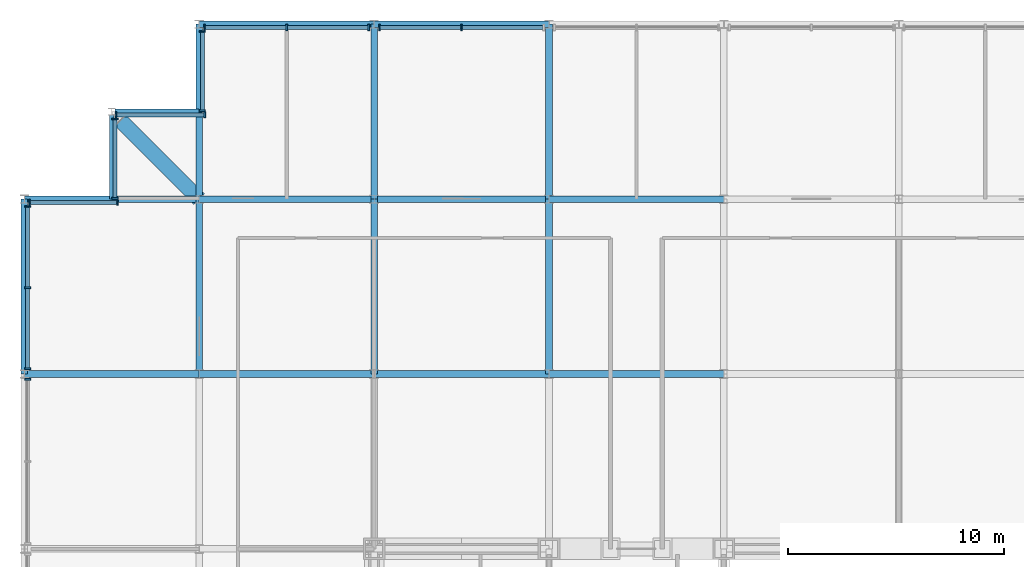
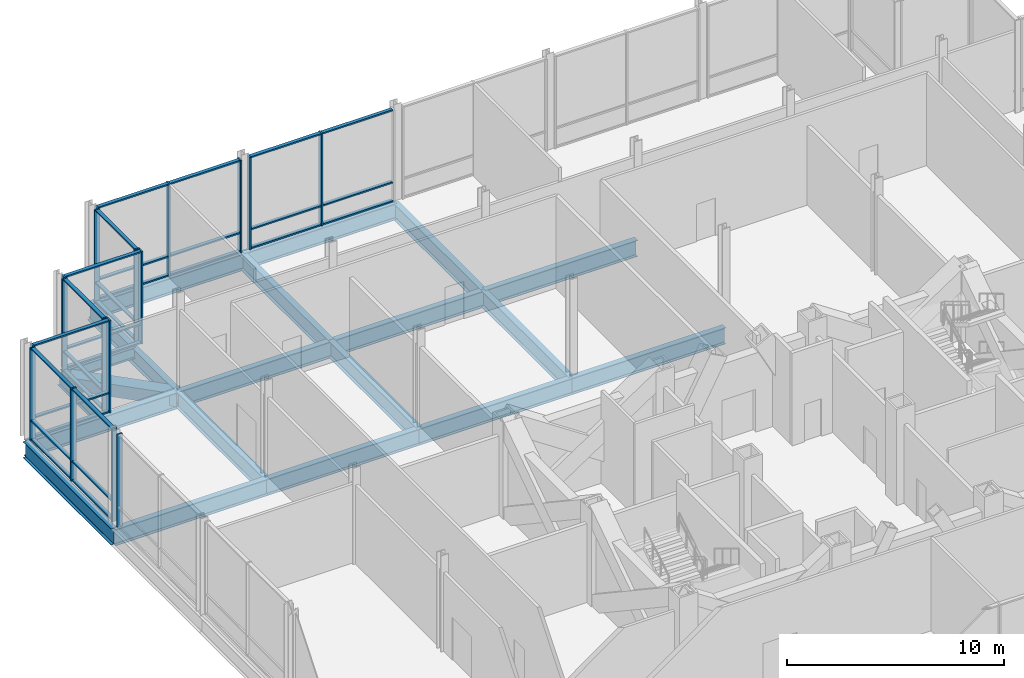
# One storey, part 9 of 21: 47 members, 20 beams, 8 elements without a shape of their own.
"""IFC4 building model written with IfcOpenShell, lengths in metres."""

from ifc_helpers import new_model, si_unit, direction, frame, origin, origin_2d, place, context, subcontext, project, spatial, rectangle, hollow_rectangle, i_section, extrude, material, material_profile, profile_set, type_object, element, aggregate, save


model = new_model("IFC4")

# Units and contexts
model_context = context("Model", 3, precision=1e-05, world=origin(), true_north=direction((0.0, 1.0)))
body_context = subcontext(model_context, "Body", "Model", "MODEL_VIEW")
ifc_project = project(units=[si_unit("LENGTHUNIT", "METRE"), si_unit("AREAUNIT", "SQUARE_METRE"), si_unit("VOLUMEUNIT", "CUBIC_METRE"), si_unit("PLANEANGLEUNIT", "RADIAN"), si_unit("MASSUNIT", "GRAM", prefix="KILO")], contexts=[model_context])

# Site, building, storey
site_placement = place(None, origin())
site = spatial("IfcSite", under=ifc_project, at=site_placement, CompositionType="ELEMENT")
building_placement = place(site_placement, origin())
building = spatial("IfcBuilding", under=site, at=building_placement, Name="Kopane Lantern Tower", CompositionType="ELEMENT")
storey_placement = place(building_placement, frame((0.0, 0.0, 298.5)))
storey = spatial("IfcBuildingStorey", under=building, at=storey_placement, Name="L76", CompositionType="ELEMENT", Elevation=298.5)

# Beams
ifc_material_1 = material(Name="Steel S355JR", Category="steel")
ifc_material_profile_1 = material_profile(ifc_material_1, hollow_rectangle(XDim=0.699951171875, YDim=0.699951171875, WallThickness=0.06005859375, at=origin_2d()), Name="BOX 700x700x60")
ifc_profile_set_1 = profile_set([ifc_material_profile_1], Name="Steel S355JR")
beam_type_1 = type_object("IfcBeamType", Name="CORNER TIE BEAM BOX 700x700x60", PredefinedType="BEAM", material=ifc_profile_set_1)
beam_1_placement = place(storey_placement, frame((4.447509765625, 60.3525390625, -0.56005859375), z_axis=(0.707106781187, -0.707106781187, 0.0), x_axis=(0.707106781187, 0.707106781187, 0.0)))
element("IfcBeam", 1, at=beam_1_placement, inside=storey, type_object=beam_type_1, Name="Corner Tie Beam L76", PredefinedType="BEAM", context=body_context, shape_type="SweptSolid", body=[
    extrude(hollow_rectangle(XDim=0.699951171875, YDim=0.699951171875, WallThickness=0.06005859375, at=origin_2d()), origin(), (0.0, 0.0, 1.0), 5.16552734375),
])
ifc_material_2 = material(Name="Steel S355JR", Category="steel")
ifc_material_profile_2 = material_profile(ifc_material_2, i_section(OverallWidth=0.22900390625, OverallDepth=0.6123046875, WebThickness=0.011962890625, FlangeThickness=0.01953125, FilletRadius=0.0126953125, at=origin_2d()), Name="UB 610x229x125")
ifc_profile_set_2 = profile_set([ifc_material_profile_2], Name="Steel S355JR")
beam_type_2 = type_object("IfcBeamType", Name="EDGE BEAM UB 610x229x125", PredefinedType="BEAM", material=ifc_profile_set_2)
beam_2_placement = place(storey_placement, frame((4.050048828125, 60.59619140625, -0.51611328125), z_axis=(0.0, -1.0, 0.0), x_axis=(1.0, 0.0, 0.0)))
element("IfcBeam", 2, at=beam_2_placement, inside=storey, type_object=beam_type_2, Name="Edge Beam L76", PredefinedType="BEAM", context=body_context, shape_type="SweptSolid", body=[
    extrude(i_section(OverallWidth=0.22900390625, OverallDepth=0.6123046875, WebThickness=0.011962890625, FlangeThickness=0.01953125, FilletRadius=0.0126953125, at=origin_2d()), origin(), (0.0, 0.0, 1.0), 3.896240234375),
])
beam_3_placement = place(storey_placement, frame((4.20361328125, 60.75, -0.51611328125), z_axis=(1.0, 0.0, 0.0), x_axis=(0.0, 1.0, 0.0)))
element("IfcBeam", 3, at=beam_3_placement, inside=storey, type_object=beam_type_2, Name="Edge Beam L76", PredefinedType="BEAM", context=body_context, shape_type="SweptSolid", body=[
    extrude(i_section(OverallWidth=0.22900390625, OverallDepth=0.6123046875, WebThickness=0.011962890625, FlangeThickness=0.01953125, FilletRadius=0.0126953125, at=origin_2d()), origin(), (0.0, 0.0, 1.0), 3.896484375),
])
ifc_material_3 = material(Name="Steel S355JR", Category="steel")
ifc_material_profile_3 = material_profile(ifc_material_3, i_section(OverallWidth=0.305419921875, OverallDepth=0.91845703125, WebThickness=0.017333984375, FlangeThickness=0.02783203125, FilletRadius=0.01904296875, at=origin_2d()), Name="UB 914x305x253")
ifc_profile_set_3 = profile_set([ifc_material_profile_3], Name="Steel S355JR")
beam_type_3 = type_object("IfcBeamType", Name="GIRDER UB 914x305x253", PredefinedType="BEAM", material=ifc_profile_set_3)
beam_4_placement = place(storey_placement, frame((0.0, 48.60009765625, -0.669189453125), z_axis=(0.0, 1.0, 0.0), x_axis=(-1.0, 0.0, 0.0)))
element("IfcBeam", 4, at=beam_4_placement, inside=storey, type_object=beam_type_3, Name="Girder L76", PredefinedType="BEAM", context=body_context, shape_type="SweptSolid", body=[
    extrude(i_section(OverallWidth=0.305419921875, OverallDepth=0.91845703125, WebThickness=0.017333984375, FlangeThickness=0.02783203125, FilletRadius=0.01904296875, at=origin_2d()), origin(), (0.0, 0.0, 1.0), 8.099853515625),
])
for number, where, z_axis, x_axis, name in (
    (5, (0.0, 48.60009765625, -0.669189453125), (1.0, 0.0, 0.0), (0.0, 1.0, 0.0), "Girder L76"),
    (6, (0.0, 56.699951171875, -0.669189453125), (1.0, 0.0, 0.0), (0.0, 1.0, 0.0), "Girder L76"),
):
    element("IfcBeam", number, at=place(storey_placement, frame(where, z_axis=z_axis, x_axis=x_axis)), inside=storey, type_object=beam_type_3, Name=name, PredefinedType="BEAM", context=body_context, shape_type="SweptSolid", body=[
        extrude(i_section(OverallWidth=0.305419921875, OverallDepth=0.91845703125, WebThickness=0.017333984375, FlangeThickness=0.02783203125, FilletRadius=0.01904296875, at=origin_2d()), origin(), (0.0, 0.0, 1.0), 8.10009765625),
    ])
for number, where, z_axis, x_axis, name in (
    (7, (8.10009765625, 48.60009765625, -0.669189453125), (0.0, 1.0, 0.0), (-1.0, 0.0, 0.0), "Girder L76"),
    (8, (8.10009765625, 48.60009765625, -0.669189453125), (1.0, 0.0, 0.0), (0.0, 1.0, 0.0), "Girder L76"),
):
    element("IfcBeam", number, at=place(storey_placement, frame(where, z_axis=z_axis, x_axis=x_axis)), inside=storey, type_object=beam_type_3, Name=name, PredefinedType="BEAM", context=body_context, shape_type="SweptSolid", body=[
        extrude(i_section(OverallWidth=0.305419921875, OverallDepth=0.91845703125, WebThickness=0.017333984375, FlangeThickness=0.02783203125, FilletRadius=0.01904296875, at=origin_2d()), origin(), (0.0, 0.0, 1.0), 8.099853515625),
    ])
beam_5_placement = place(storey_placement, frame((8.10009765625, 56.699951171875, -0.669189453125), z_axis=(0.0, 1.0, 0.0), x_axis=(-1.0, 0.0, 0.0)))
element("IfcBeam", 9, at=beam_5_placement, inside=storey, type_object=beam_type_3, Name="Girder L76", PredefinedType="BEAM", context=body_context, shape_type="SweptSolid", body=[
    extrude(i_section(OverallWidth=0.305419921875, OverallDepth=0.91845703125, WebThickness=0.017333984375, FlangeThickness=0.02783203125, FilletRadius=0.01904296875, at=origin_2d()), origin(), (0.0, 0.0, 1.0), 8.10009765625),
])
for number, where, z_axis, x_axis, name in (
    (10, (8.10009765625, 56.699951171875, -0.669189453125), (1.0, 0.0, 0.0), (0.0, 1.0, 0.0), "Girder L76"),
    (11, (8.10009765625, 64.800048828125, -0.669189453125), (1.0, 0.0, 0.0), (0.0, 1.0, 0.0), "Girder L76"),
    (12, (16.199951171875, 48.60009765625, -0.669189453125), (0.0, 1.0, 0.0), (-1.0, 0.0, 0.0), "Girder L76"),
):
    element("IfcBeam", number, at=place(storey_placement, frame(where, z_axis=z_axis, x_axis=x_axis)), inside=storey, type_object=beam_type_3, Name=name, PredefinedType="BEAM", context=body_context, shape_type="SweptSolid", body=[
        extrude(i_section(OverallWidth=0.305419921875, OverallDepth=0.91845703125, WebThickness=0.017333984375, FlangeThickness=0.02783203125, FilletRadius=0.01904296875, at=origin_2d()), origin(), (0.0, 0.0, 1.0), 8.099853515625),
    ])
for number, where, z_axis, x_axis, name in (
    (13, (16.199951171875, 48.60009765625, -0.669189453125), (1.0, 0.0, 0.0), (0.0, 1.0, 0.0), "Girder L76"),
    (14, (16.199951171875, 56.699951171875, -0.669189453125), (0.0, 1.0, 0.0), (-1.0, 0.0, 0.0), "Girder L76"),
    (15, (16.199951171875, 56.699951171875, -0.669189453125), (1.0, 0.0, 0.0), (0.0, 1.0, 0.0), "Girder L76"),
    (16, (16.199951171875, 64.800048828125, -0.669189453125), (1.0, 0.0, 0.0), (0.0, 1.0, 0.0), "Girder L76"),
):
    element("IfcBeam", number, at=place(storey_placement, frame(where, z_axis=z_axis, x_axis=x_axis)), inside=storey, type_object=beam_type_3, Name=name, PredefinedType="BEAM", context=body_context, shape_type="SweptSolid", body=[
        extrude(i_section(OverallWidth=0.305419921875, OverallDepth=0.91845703125, WebThickness=0.017333984375, FlangeThickness=0.02783203125, FilletRadius=0.01904296875, at=origin_2d()), origin(), (0.0, 0.0, 1.0), 8.10009765625),
    ])
for number, where, z_axis, x_axis, name in (
    (17, (24.300048828125, 48.60009765625, -0.669189453125), (0.0, 1.0, 0.0), (-1.0, 0.0, 0.0), "Girder L76"),
    (18, (24.300048828125, 48.60009765625, -0.669189453125), (1.0, 0.0, 0.0), (0.0, 1.0, 0.0), "Girder L76"),
):
    element("IfcBeam", number, at=place(storey_placement, frame(where, z_axis=z_axis, x_axis=x_axis)), inside=storey, type_object=beam_type_3, Name=name, PredefinedType="BEAM", context=body_context, shape_type="SweptSolid", body=[
        extrude(i_section(OverallWidth=0.305419921875, OverallDepth=0.91845703125, WebThickness=0.017333984375, FlangeThickness=0.02783203125, FilletRadius=0.01904296875, at=origin_2d()), origin(), (0.0, 0.0, 1.0), 8.099853515625),
    ])
beam_6_placement = place(storey_placement, frame((24.300048828125, 56.699951171875, -0.669189453125), z_axis=(0.0, 1.0, 0.0), x_axis=(-1.0, 0.0, 0.0)))
element("IfcBeam", 19, at=beam_6_placement, inside=storey, type_object=beam_type_3, Name="Girder L76", PredefinedType="BEAM", context=body_context, shape_type="SweptSolid", body=[
    extrude(i_section(OverallWidth=0.305419921875, OverallDepth=0.91845703125, WebThickness=0.017333984375, FlangeThickness=0.02783203125, FilletRadius=0.01904296875, at=origin_2d()), origin(), (0.0, 0.0, 1.0), 8.10009765625),
])
beam_7_placement = place(storey_placement, frame((24.300048828125, 56.699951171875, -0.669189453125), z_axis=(1.0, 0.0, 0.0), x_axis=(0.0, 1.0, 0.0)))
element("IfcBeam", 20, at=beam_7_placement, inside=storey, type_object=beam_type_3, Name="Girder L76", PredefinedType="BEAM", context=body_context, shape_type="SweptSolid", body=[
    extrude(i_section(OverallWidth=0.305419921875, OverallDepth=0.91845703125, WebThickness=0.017333984375, FlangeThickness=0.02783203125, FilletRadius=0.01904296875, at=origin_2d()), origin(), (0.0, 0.0, 1.0), 8.099853515625),
])

# Curtain wall, members
ifc_material_4 = material(Name="Aluminium and clear glass", Category="aluminium")
curtain_wall_type = type_object("IfcCurtainWallType", Name="CURTAIN WALL CW6 LANTERN CROWN", PredefinedType="USERDEFINED", material=ifc_material_4)
curtain_wall_1_placement = place(storey_placement, origin())
curtain_wall_1 = element("IfcCurtainWall", 21, at=curtain_wall_1_placement, inside=storey, type_object=curtain_wall_type, Name="Curtain wall CW6 N L76", ObjectType="CURTAIN WALL", PredefinedType="USERDEFINED")
ifc_material_5 = material(Name="Aluminium", Category="aluminium")
ifc_material_profile_4 = material_profile(ifc_material_5, rectangle(XDim=0.080078125, YDim=0.280029296875, at=origin_2d()), Name="AL 80x280")
ifc_profile_set_4 = profile_set([ifc_material_profile_4], Name="Aluminium")
member_type_1 = type_object("IfcMemberType", Name="MULLION CW6-M 80x280", PredefinedType="MULLION", material=ifc_profile_set_4)
member_1_placement = place(storey_placement, frame((20.25, 64.64990234375, 0.0), z_axis=(0.0, 0.0, 1.0), x_axis=(-1.0, 0.0, 0.0)))
member_1 = element("IfcMember", 22, at=member_1_placement, type_object=member_type_1, Name="CW6 mullion 2", PredefinedType="MULLION", context=body_context, shape_type="SweptSolid", body=[
    extrude(rectangle(XDim=0.080078125, YDim=0.280029296875, at=origin_2d()), origin(), (0.0, 0.0, 1.0), 5.18994140625),
])
member_2_placement = place(storey_placement, frame((16.444580078125, 64.64990234375, 0.0), z_axis=(0.0, 0.0, 1.0), x_axis=(-1.0, 0.0, 0.0)))
member_2 = element("IfcMember", 23, at=member_2_placement, type_object=member_type_1, Name="CW6 mullion 3", PredefinedType="MULLION", context=body_context, shape_type="SweptSolid", body=[
    extrude(rectangle(XDim=0.080078125, YDim=0.280029296875, at=origin_2d()), origin(), (0.0, 0.0, 1.0), 5.18994140625),
])

curtain_wall_2_placement = place(storey_placement, origin())
curtain_wall_2 = element("IfcCurtainWall", 24, at=curtain_wall_2_placement, inside=storey, type_object=curtain_wall_type, Name="Curtain wall CW6 N L76", ObjectType="CURTAIN WALL", PredefinedType="USERDEFINED")
member_3_placement = place(storey_placement, frame((15.95556640625, 64.64990234375, 0.0), z_axis=(0.0, 0.0, 1.0), x_axis=(-1.0, 0.0, 0.0)))
member_3 = element("IfcMember", 25, at=member_3_placement, type_object=member_type_1, Name="CW6 mullion 1", PredefinedType="MULLION", context=body_context, shape_type="SweptSolid", body=[
    extrude(rectangle(XDim=0.080078125, YDim=0.280029296875, at=origin_2d()), origin(), (0.0, 0.0, 1.0), 5.18994140625),
])
member_4_placement = place(storey_placement, frame((12.14990234375, 64.64990234375, 0.0), z_axis=(0.0, 0.0, 1.0), x_axis=(-1.0, 0.0, 0.0)))
member_4 = element("IfcMember", 26, at=member_4_placement, type_object=member_type_1, Name="CW6 mullion 2", PredefinedType="MULLION", context=body_context, shape_type="SweptSolid", body=[
    extrude(rectangle(XDim=0.080078125, YDim=0.280029296875, at=origin_2d()), origin(), (0.0, 0.0, 1.0), 5.18994140625),
])
member_5_placement = place(storey_placement, frame((8.344482421875, 64.64990234375, 0.0), z_axis=(0.0, 0.0, 1.0), x_axis=(-1.0, 0.0, 0.0)))
member_5 = element("IfcMember", 27, at=member_5_placement, type_object=member_type_1, Name="CW6 mullion 3", PredefinedType="MULLION", context=body_context, shape_type="SweptSolid", body=[
    extrude(rectangle(XDim=0.080078125, YDim=0.280029296875, at=origin_2d()), origin(), (0.0, 0.0, 1.0), 5.18994140625),
])

curtain_wall_3_placement = place(storey_placement, origin())
curtain_wall_3 = element("IfcCurtainWall", 28, at=curtain_wall_3_placement, inside=storey, type_object=curtain_wall_type, Name="Curtain wall CW6 W L76", ObjectType="CURTAIN WALL", PredefinedType="USERDEFINED")
member_6_placement = place(storey_placement, frame((8.25, 64.4599609375, 0.0), z_axis=(0.0, 0.0, 1.0), x_axis=(0.0, -1.0, 0.0)))
member_6 = element("IfcMember", 29, at=member_6_placement, type_object=member_type_1, Name="CW6 mullion 1", PredefinedType="MULLION", context=body_context, shape_type="SweptSolid", body=[
    extrude(rectangle(XDim=0.080078125, YDim=0.280029296875, at=origin_2d()), origin(), (0.0, 0.0, 1.0), 5.18994140625),
])
member_7_placement = place(storey_placement, frame((8.25, 60.7900390625, 0.0), z_axis=(0.0, 0.0, 1.0), x_axis=(0.0, -1.0, 0.0)))
member_7 = element("IfcMember", 30, at=member_7_placement, type_object=member_type_1, Name="CW6 mullion 2", PredefinedType="MULLION", context=body_context, shape_type="SweptSolid", body=[
    extrude(rectangle(XDim=0.080078125, YDim=0.280029296875, at=origin_2d()), origin(), (0.0, 0.0, 1.0), 5.18994140625),
])

curtain_wall_4_placement = place(storey_placement, origin())
curtain_wall_4 = element("IfcCurtainWall", 31, at=curtain_wall_4_placement, inside=storey, type_object=curtain_wall_type, Name="Curtain wall CW6 N L76", ObjectType="CURTAIN WALL", PredefinedType="USERDEFINED")
member_8_placement = place(storey_placement, frame((8.360107421875, 60.60009765625, 0.0), z_axis=(0.0, 0.0, 1.0), x_axis=(-1.0, 0.0, 0.0)))
member_8 = element("IfcMember", 32, at=member_8_placement, type_object=member_type_1, Name="CW6 mullion 1", PredefinedType="MULLION", context=body_context, shape_type="SweptSolid", body=[
    extrude(rectangle(XDim=0.080078125, YDim=0.280029296875, at=origin_2d()), origin(), (0.0, 0.0, 1.0), 5.18994140625),
])
member_9_placement = place(storey_placement, frame((4.248779296875, 60.60009765625, 0.0), z_axis=(0.0, 0.0, 1.0), x_axis=(-1.0, 0.0, 0.0)))
member_9 = element("IfcMember", 33, at=member_9_placement, type_object=member_type_1, Name="CW6 mullion 2", PredefinedType="MULLION", context=body_context, shape_type="SweptSolid", body=[
    extrude(rectangle(XDim=0.080078125, YDim=0.280029296875, at=origin_2d()), origin(), (0.0, 0.0, 1.0), 5.18994140625),
])

curtain_wall_5_placement = place(storey_placement, origin())
curtain_wall_5 = element("IfcCurtainWall", 34, at=curtain_wall_5_placement, inside=storey, type_object=curtain_wall_type, Name="Curtain wall CW6 W L76", ObjectType="CURTAIN WALL", PredefinedType="USERDEFINED")
member_10_placement = place(storey_placement, frame((4.199951171875, 60.409912109375, 0.0), z_axis=(0.0, 0.0, 1.0), x_axis=(0.0, -1.0, 0.0)))
member_10 = element("IfcMember", 35, at=member_10_placement, type_object=member_type_1, Name="CW6 mullion 1", PredefinedType="MULLION", context=body_context, shape_type="SweptSolid", body=[
    extrude(rectangle(XDim=0.080078125, YDim=0.280029296875, at=origin_2d()), origin(), (0.0, 0.0, 1.0), 5.18994140625),
])
member_11_placement = place(storey_placement, frame((4.199951171875, 56.739990234375, 0.0), z_axis=(0.0, 0.0, 1.0), x_axis=(0.0, -1.0, 0.0)))
member_11 = element("IfcMember", 36, at=member_11_placement, type_object=member_type_1, Name="CW6 mullion 2", PredefinedType="MULLION", context=body_context, shape_type="SweptSolid", body=[
    extrude(rectangle(XDim=0.080078125, YDim=0.280029296875, at=origin_2d()), origin(), (0.0, 0.0, 1.0), 5.18994140625),
])

curtain_wall_6_placement = place(storey_placement, origin())
curtain_wall_6 = element("IfcCurtainWall", 37, at=curtain_wall_6_placement, inside=storey, type_object=curtain_wall_type, Name="Curtain wall CW6 N L76", ObjectType="CURTAIN WALL", PredefinedType="USERDEFINED")
member_12_placement = place(storey_placement, frame((4.31005859375, 56.550048828125, 0.0), z_axis=(0.0, 0.0, 1.0), x_axis=(-1.0, 0.0, 0.0)))
member_12 = element("IfcMember", 38, at=member_12_placement, type_object=member_type_1, Name="CW6 mullion 1", PredefinedType="MULLION", context=body_context, shape_type="SweptSolid", body=[
    extrude(rectangle(XDim=0.080078125, YDim=0.280029296875, at=origin_2d()), origin(), (0.0, 0.0, 1.0), 5.18994140625),
])
member_13_placement = place(storey_placement, frame((0.244384765625, 56.550048828125, 0.0), z_axis=(0.0, 0.0, 1.0), x_axis=(-1.0, 0.0, 0.0)))
member_13 = element("IfcMember", 39, at=member_13_placement, type_object=member_type_1, Name="CW6 mullion 2", PredefinedType="MULLION", context=body_context, shape_type="SweptSolid", body=[
    extrude(rectangle(XDim=0.080078125, YDim=0.280029296875, at=origin_2d()), origin(), (0.0, 0.0, 1.0), 5.18994140625),
])

curtain_wall_7_placement = place(storey_placement, origin())
curtain_wall_7 = element("IfcCurtainWall", 40, at=curtain_wall_7_placement, inside=storey, type_object=curtain_wall_type, Name="Curtain wall CW6 W L76", ObjectType="CURTAIN WALL", PredefinedType="USERDEFINED")
member_14_placement = place(storey_placement, frame((0.14990234375, 56.360107421875, 0.0), z_axis=(0.0, 0.0, 1.0), x_axis=(0.0, -1.0, 0.0)))
member_14 = element("IfcMember", 41, at=member_14_placement, type_object=member_type_1, Name="CW6 mullion 1", PredefinedType="MULLION", context=body_context, shape_type="SweptSolid", body=[
    extrude(rectangle(XDim=0.080078125, YDim=0.280029296875, at=origin_2d()), origin(), (0.0, 0.0, 1.0), 5.18994140625),
])
member_15_placement = place(storey_placement, frame((0.14990234375, 52.600830078125, 0.0), z_axis=(0.0, 0.0, 1.0), x_axis=(0.0, -1.0, 0.0)))
member_15 = element("IfcMember", 42, at=member_15_placement, type_object=member_type_1, Name="CW6 mullion 2", PredefinedType="MULLION", context=body_context, shape_type="SweptSolid", body=[
    extrude(rectangle(XDim=0.080078125, YDim=0.280029296875, at=origin_2d()), origin(), (0.0, 0.0, 1.0), 5.18994140625),
])
member_16_placement = place(storey_placement, frame((0.14990234375, 48.841796875, 0.0), z_axis=(0.0, 0.0, 1.0), x_axis=(0.0, -1.0, 0.0)))
member_16 = element("IfcMember", 43, at=member_16_placement, type_object=member_type_1, Name="CW6 mullion 3", PredefinedType="MULLION", context=body_context, shape_type="SweptSolid", body=[
    extrude(rectangle(XDim=0.080078125, YDim=0.280029296875, at=origin_2d()), origin(), (0.0, 0.0, 1.0), 5.18994140625),
])

# Curtain wall, member
curtain_wall_8_placement = place(storey_placement, origin())
curtain_wall_8 = element("IfcCurtainWall", 44, at=curtain_wall_8_placement, inside=storey, type_object=curtain_wall_type, Name="Curtain wall CW6 W L76", ObjectType="CURTAIN WALL", PredefinedType="USERDEFINED")
member_17_placement = place(storey_placement, frame((0.14990234375, 48.358154296875, 0.0), z_axis=(0.0, 0.0, 1.0), x_axis=(0.0, -1.0, 0.0)))
member_17 = element("IfcMember", 45, at=member_17_placement, type_object=member_type_1, Name="CW6 mullion 1", PredefinedType="MULLION", context=body_context, shape_type="SweptSolid", body=[
    extrude(rectangle(XDim=0.080078125, YDim=0.280029296875, at=origin_2d()), origin(), (0.0, 0.0, 1.0), 5.18994140625),
])
aggregate(curtain_wall_8, [member_17])

# Member
ifc_material_6 = material(Name="Aluminium", Category="aluminium")
ifc_material_profile_5 = material_profile(ifc_material_6, rectangle(XDim=0.18994140625, YDim=0.080078125, at=origin_2d()), Name="AL 190x80")
ifc_profile_set_5 = profile_set([ifc_material_profile_5], Name="Aluminium")
member_type_2 = type_object("IfcMemberType", Name="TRANSOM CW6-T 80x190", PredefinedType="USERDEFINED", material=ifc_profile_set_5)
member_18_placement = place(storey_placement, frame((24.015380859375, 64.64990234375, 0.0400390625), z_axis=(-1.0, 0.0, 0.0), x_axis=(0.0, -1.0, 0.0)))
member_18 = element("IfcMember", 46, at=member_18_placement, type_object=member_type_2, Name="CW6 transom 1.1", ObjectType="TRANSOM", PredefinedType="USERDEFINED", context=body_context, shape_type="SweptSolid", body=[
    extrude(rectangle(XDim=0.18994140625, YDim=0.080078125, at=origin_2d()), origin(), (0.0, 0.0, 1.0), 3.725341796875),
])

member_19_placement = place(storey_placement, frame((24.015380859375, 64.64990234375, 1.10009765625), z_axis=(-1.0, 0.0, 0.0), x_axis=(0.0, -1.0, 0.0)))
member_19 = element("IfcMember", 47, at=member_19_placement, type_object=member_type_2, Name="CW6 transom 1.2", ObjectType="TRANSOM", PredefinedType="USERDEFINED", context=body_context, shape_type="SweptSolid", body=[
    extrude(rectangle(XDim=0.18994140625, YDim=0.080078125, at=origin_2d()), origin(), (0.0, 0.0, 1.0), 3.725341796875),
])

member_20_placement = place(storey_placement, frame((24.015380859375, 64.64990234375, 5.14990234375), z_axis=(-1.0, 0.0, 0.0), x_axis=(0.0, -1.0, 0.0)))
member_20 = element("IfcMember", 48, at=member_20_placement, type_object=member_type_2, Name="CW6 transom 1.3", ObjectType="TRANSOM", PredefinedType="USERDEFINED", context=body_context, shape_type="SweptSolid", body=[
    extrude(rectangle(XDim=0.18994140625, YDim=0.080078125, at=origin_2d()), origin(), (0.0, 0.0, 1.0), 3.725341796875),
])

member_21_placement = place(storey_placement, frame((20.2099609375, 64.64990234375, 0.0400390625), z_axis=(-1.0, 0.0, 0.0), x_axis=(0.0, -1.0, 0.0)))
member_21 = element("IfcMember", 49, at=member_21_placement, type_object=member_type_2, Name="CW6 transom 2.1", ObjectType="TRANSOM", PredefinedType="USERDEFINED", context=body_context, shape_type="SweptSolid", body=[
    extrude(rectangle(XDim=0.18994140625, YDim=0.080078125, at=origin_2d()), origin(), (0.0, 0.0, 1.0), 3.725341796875),
])

member_22_placement = place(storey_placement, frame((20.2099609375, 64.64990234375, 1.10009765625), z_axis=(-1.0, 0.0, 0.0), x_axis=(0.0, -1.0, 0.0)))
member_22 = element("IfcMember", 50, at=member_22_placement, type_object=member_type_2, Name="CW6 transom 2.2", ObjectType="TRANSOM", PredefinedType="USERDEFINED", context=body_context, shape_type="SweptSolid", body=[
    extrude(rectangle(XDim=0.18994140625, YDim=0.080078125, at=origin_2d()), origin(), (0.0, 0.0, 1.0), 3.725341796875),
])

member_23_placement = place(storey_placement, frame((20.2099609375, 64.64990234375, 5.14990234375), z_axis=(-1.0, 0.0, 0.0), x_axis=(0.0, -1.0, 0.0)))
member_23 = element("IfcMember", 51, at=member_23_placement, type_object=member_type_2, Name="CW6 transom 2.3", ObjectType="TRANSOM", PredefinedType="USERDEFINED", context=body_context, shape_type="SweptSolid", body=[
    extrude(rectangle(XDim=0.18994140625, YDim=0.080078125, at=origin_2d()), origin(), (0.0, 0.0, 1.0), 3.725341796875),
])

aggregate(curtain_wall_1, [member_1, member_2, member_18, member_19, member_20, member_21, member_22, member_23])

member_24_placement = place(storey_placement, frame((15.91552734375, 64.64990234375, 0.0400390625), z_axis=(-1.0, 0.0, 0.0), x_axis=(0.0, -1.0, 0.0)))
member_24 = element("IfcMember", 52, at=member_24_placement, type_object=member_type_2, Name="CW6 transom 1.1", ObjectType="TRANSOM", PredefinedType="USERDEFINED", context=body_context, shape_type="SweptSolid", body=[
    extrude(rectangle(XDim=0.18994140625, YDim=0.080078125, at=origin_2d()), origin(), (0.0, 0.0, 1.0), 3.7255859375),
])

member_25_placement = place(storey_placement, frame((15.91552734375, 64.64990234375, 1.10009765625), z_axis=(-1.0, 0.0, 0.0), x_axis=(0.0, -1.0, 0.0)))
member_25 = element("IfcMember", 53, at=member_25_placement, type_object=member_type_2, Name="CW6 transom 1.2", ObjectType="TRANSOM", PredefinedType="USERDEFINED", context=body_context, shape_type="SweptSolid", body=[
    extrude(rectangle(XDim=0.18994140625, YDim=0.080078125, at=origin_2d()), origin(), (0.0, 0.0, 1.0), 3.7255859375),
])

member_26_placement = place(storey_placement, frame((15.91552734375, 64.64990234375, 5.14990234375), z_axis=(-1.0, 0.0, 0.0), x_axis=(0.0, -1.0, 0.0)))
member_26 = element("IfcMember", 54, at=member_26_placement, type_object=member_type_2, Name="CW6 transom 1.3", ObjectType="TRANSOM", PredefinedType="USERDEFINED", context=body_context, shape_type="SweptSolid", body=[
    extrude(rectangle(XDim=0.18994140625, YDim=0.080078125, at=origin_2d()), origin(), (0.0, 0.0, 1.0), 3.7255859375),
])

member_27_placement = place(storey_placement, frame((12.110107421875, 64.64990234375, 0.0400390625), z_axis=(-1.0, 0.0, 0.0), x_axis=(0.0, -1.0, 0.0)))
member_27 = element("IfcMember", 55, at=member_27_placement, type_object=member_type_2, Name="CW6 transom 2.1", ObjectType="TRANSOM", PredefinedType="USERDEFINED", context=body_context, shape_type="SweptSolid", body=[
    extrude(rectangle(XDim=0.18994140625, YDim=0.080078125, at=origin_2d()), origin(), (0.0, 0.0, 1.0), 3.7255859375),
])

member_28_placement = place(storey_placement, frame((12.110107421875, 64.64990234375, 1.10009765625), z_axis=(-1.0, 0.0, 0.0), x_axis=(0.0, -1.0, 0.0)))
member_28 = element("IfcMember", 56, at=member_28_placement, type_object=member_type_2, Name="CW6 transom 2.2", ObjectType="TRANSOM", PredefinedType="USERDEFINED", context=body_context, shape_type="SweptSolid", body=[
    extrude(rectangle(XDim=0.18994140625, YDim=0.080078125, at=origin_2d()), origin(), (0.0, 0.0, 1.0), 3.7255859375),
])

member_29_placement = place(storey_placement, frame((12.110107421875, 64.64990234375, 5.14990234375), z_axis=(-1.0, 0.0, 0.0), x_axis=(0.0, -1.0, 0.0)))
member_29 = element("IfcMember", 57, at=member_29_placement, type_object=member_type_2, Name="CW6 transom 2.3", ObjectType="TRANSOM", PredefinedType="USERDEFINED", context=body_context, shape_type="SweptSolid", body=[
    extrude(rectangle(XDim=0.18994140625, YDim=0.080078125, at=origin_2d()), origin(), (0.0, 0.0, 1.0), 3.7255859375),
])

aggregate(curtain_wall_2, [member_3, member_4, member_5, member_24, member_25, member_26, member_27, member_28, member_29])

member_30_placement = place(storey_placement, frame((8.25, 64.419921875, 0.0400390625), z_axis=(0.0, -1.0, 0.0), x_axis=(1.0, 0.0, 0.0)))
member_30 = element("IfcMember", 58, at=member_30_placement, type_object=member_type_2, Name="CW6 transom 1.1", ObjectType="TRANSOM", PredefinedType="USERDEFINED", context=body_context, shape_type="SweptSolid", body=[
    extrude(rectangle(XDim=0.18994140625, YDim=0.080078125, at=origin_2d()), origin(), (0.0, 0.0, 1.0), 3.58984375),
])

member_31_placement = place(storey_placement, frame((8.25, 64.419921875, 1.10009765625), z_axis=(0.0, -1.0, 0.0), x_axis=(1.0, 0.0, 0.0)))
member_31 = element("IfcMember", 59, at=member_31_placement, type_object=member_type_2, Name="CW6 transom 1.2", ObjectType="TRANSOM", PredefinedType="USERDEFINED", context=body_context, shape_type="SweptSolid", body=[
    extrude(rectangle(XDim=0.18994140625, YDim=0.080078125, at=origin_2d()), origin(), (0.0, 0.0, 1.0), 3.58984375),
])

member_32_placement = place(storey_placement, frame((8.25, 64.419921875, 5.14990234375), z_axis=(0.0, -1.0, 0.0), x_axis=(1.0, 0.0, 0.0)))
member_32 = element("IfcMember", 60, at=member_32_placement, type_object=member_type_2, Name="CW6 transom 1.3", ObjectType="TRANSOM", PredefinedType="USERDEFINED", context=body_context, shape_type="SweptSolid", body=[
    extrude(rectangle(XDim=0.18994140625, YDim=0.080078125, at=origin_2d()), origin(), (0.0, 0.0, 1.0), 3.58984375),
])

aggregate(curtain_wall_3, [member_6, member_7, member_30, member_31, member_32])

member_33_placement = place(storey_placement, frame((8.320068359375, 60.60009765625, 0.0400390625), z_axis=(-1.0, 0.0, 0.0), x_axis=(0.0, -1.0, 0.0)))
member_33 = element("IfcMember", 61, at=member_33_placement, type_object=member_type_2, Name="CW6 transom 1.1", ObjectType="TRANSOM", PredefinedType="USERDEFINED", context=body_context, shape_type="SweptSolid", body=[
    extrude(rectangle(XDim=0.18994140625, YDim=0.080078125, at=origin_2d()), origin(), (0.0, 0.0, 1.0), 4.03125),
])

member_34_placement = place(storey_placement, frame((8.320068359375, 60.60009765625, 1.10009765625), z_axis=(-1.0, 0.0, 0.0), x_axis=(0.0, -1.0, 0.0)))
member_34 = element("IfcMember", 62, at=member_34_placement, type_object=member_type_2, Name="CW6 transom 1.2", ObjectType="TRANSOM", PredefinedType="USERDEFINED", context=body_context, shape_type="SweptSolid", body=[
    extrude(rectangle(XDim=0.18994140625, YDim=0.080078125, at=origin_2d()), origin(), (0.0, 0.0, 1.0), 4.03125),
])

member_35_placement = place(storey_placement, frame((8.320068359375, 60.60009765625, 5.14990234375), z_axis=(-1.0, 0.0, 0.0), x_axis=(0.0, -1.0, 0.0)))
member_35 = element("IfcMember", 63, at=member_35_placement, type_object=member_type_2, Name="CW6 transom 1.3", ObjectType="TRANSOM", PredefinedType="USERDEFINED", context=body_context, shape_type="SweptSolid", body=[
    extrude(rectangle(XDim=0.18994140625, YDim=0.080078125, at=origin_2d()), origin(), (0.0, 0.0, 1.0), 4.03125),
])

aggregate(curtain_wall_4, [member_8, member_9, member_33, member_34, member_35])

member_36_placement = place(storey_placement, frame((4.199951171875, 60.3701171875, 0.0400390625), z_axis=(0.0, -1.0, 0.0), x_axis=(1.0, 0.0, 0.0)))
member_36 = element("IfcMember", 64, at=member_36_placement, type_object=member_type_2, Name="CW6 transom 1.1", ObjectType="TRANSOM", PredefinedType="USERDEFINED", context=body_context, shape_type="SweptSolid", body=[
    extrude(rectangle(XDim=0.18994140625, YDim=0.080078125, at=origin_2d()), origin(), (0.0, 0.0, 1.0), 3.590087890625),
])

member_37_placement = place(storey_placement, frame((4.199951171875, 60.3701171875, 1.10009765625), z_axis=(0.0, -1.0, 0.0), x_axis=(1.0, 0.0, 0.0)))
member_37 = element("IfcMember", 65, at=member_37_placement, type_object=member_type_2, Name="CW6 transom 1.2", ObjectType="TRANSOM", PredefinedType="USERDEFINED", context=body_context, shape_type="SweptSolid", body=[
    extrude(rectangle(XDim=0.18994140625, YDim=0.080078125, at=origin_2d()), origin(), (0.0, 0.0, 1.0), 3.590087890625),
])

member_38_placement = place(storey_placement, frame((4.199951171875, 60.3701171875, 5.14990234375), z_axis=(0.0, -1.0, 0.0), x_axis=(1.0, 0.0, 0.0)))
member_38 = element("IfcMember", 66, at=member_38_placement, type_object=member_type_2, Name="CW6 transom 1.3", ObjectType="TRANSOM", PredefinedType="USERDEFINED", context=body_context, shape_type="SweptSolid", body=[
    extrude(rectangle(XDim=0.18994140625, YDim=0.080078125, at=origin_2d()), origin(), (0.0, 0.0, 1.0), 3.590087890625),
])

aggregate(curtain_wall_5, [member_10, member_11, member_36, member_37, member_38])

member_39_placement = place(storey_placement, frame((4.27001953125, 56.550048828125, 0.0400390625), z_axis=(-1.0, 0.0, 0.0), x_axis=(0.0, -1.0, 0.0)))
member_39 = element("IfcMember", 67, at=member_39_placement, type_object=member_type_2, Name="CW6 transom 1.1", ObjectType="TRANSOM", PredefinedType="USERDEFINED", context=body_context, shape_type="SweptSolid", body=[
    extrude(rectangle(XDim=0.18994140625, YDim=0.080078125, at=origin_2d()), origin(), (0.0, 0.0, 1.0), 3.985595703125),
])

member_40_placement = place(storey_placement, frame((4.27001953125, 56.550048828125, 1.10009765625), z_axis=(-1.0, 0.0, 0.0), x_axis=(0.0, -1.0, 0.0)))
member_40 = element("IfcMember", 68, at=member_40_placement, type_object=member_type_2, Name="CW6 transom 1.2", ObjectType="TRANSOM", PredefinedType="USERDEFINED", context=body_context, shape_type="SweptSolid", body=[
    extrude(rectangle(XDim=0.18994140625, YDim=0.080078125, at=origin_2d()), origin(), (0.0, 0.0, 1.0), 3.985595703125),
])

member_41_placement = place(storey_placement, frame((4.27001953125, 56.550048828125, 5.14990234375), z_axis=(-1.0, 0.0, 0.0), x_axis=(0.0, -1.0, 0.0)))
member_41 = element("IfcMember", 69, at=member_41_placement, type_object=member_type_2, Name="CW6 transom 1.3", ObjectType="TRANSOM", PredefinedType="USERDEFINED", context=body_context, shape_type="SweptSolid", body=[
    extrude(rectangle(XDim=0.18994140625, YDim=0.080078125, at=origin_2d()), origin(), (0.0, 0.0, 1.0), 3.985595703125),
])

aggregate(curtain_wall_6, [member_12, member_13, member_39, member_40, member_41])

member_42_placement = place(storey_placement, frame((0.14990234375, 56.320068359375, 0.0400390625), z_axis=(0.0, -1.0, 0.0), x_axis=(1.0, 0.0, 0.0)))
member_42 = element("IfcMember", 70, at=member_42_placement, type_object=member_type_2, Name="CW6 transom 1.1", ObjectType="TRANSOM", PredefinedType="USERDEFINED", context=body_context, shape_type="SweptSolid", body=[
    extrude(rectangle(XDim=0.18994140625, YDim=0.080078125, at=origin_2d()), origin(), (0.0, 0.0, 1.0), 3.67919921875),
])

member_43_placement = place(storey_placement, frame((0.14990234375, 56.320068359375, 1.10009765625), z_axis=(0.0, -1.0, 0.0), x_axis=(1.0, 0.0, 0.0)))
member_43 = element("IfcMember", 71, at=member_43_placement, type_object=member_type_2, Name="CW6 transom 1.2", ObjectType="TRANSOM", PredefinedType="USERDEFINED", context=body_context, shape_type="SweptSolid", body=[
    extrude(rectangle(XDim=0.18994140625, YDim=0.080078125, at=origin_2d()), origin(), (0.0, 0.0, 1.0), 3.67919921875),
])

member_44_placement = place(storey_placement, frame((0.14990234375, 56.320068359375, 5.14990234375), z_axis=(0.0, -1.0, 0.0), x_axis=(1.0, 0.0, 0.0)))
member_44 = element("IfcMember", 72, at=member_44_placement, type_object=member_type_2, Name="CW6 transom 1.3", ObjectType="TRANSOM", PredefinedType="USERDEFINED", context=body_context, shape_type="SweptSolid", body=[
    extrude(rectangle(XDim=0.18994140625, YDim=0.080078125, at=origin_2d()), origin(), (0.0, 0.0, 1.0), 3.67919921875),
])

member_45_placement = place(storey_placement, frame((0.14990234375, 52.560791015625, 0.0400390625), z_axis=(0.0, -1.0, 0.0), x_axis=(1.0, 0.0, 0.0)))
member_45 = element("IfcMember", 73, at=member_45_placement, type_object=member_type_2, Name="CW6 transom 2.1", ObjectType="TRANSOM", PredefinedType="USERDEFINED", context=body_context, shape_type="SweptSolid", body=[
    extrude(rectangle(XDim=0.18994140625, YDim=0.080078125, at=origin_2d()), origin(), (0.0, 0.0, 1.0), 3.678955078125),
])

member_46_placement = place(storey_placement, frame((0.14990234375, 52.560791015625, 1.10009765625), z_axis=(0.0, -1.0, 0.0), x_axis=(1.0, 0.0, 0.0)))
member_46 = element("IfcMember", 74, at=member_46_placement, type_object=member_type_2, Name="CW6 transom 2.2", ObjectType="TRANSOM", PredefinedType="USERDEFINED", context=body_context, shape_type="SweptSolid", body=[
    extrude(rectangle(XDim=0.18994140625, YDim=0.080078125, at=origin_2d()), origin(), (0.0, 0.0, 1.0), 3.678955078125),
])

member_47_placement = place(storey_placement, frame((0.14990234375, 52.560791015625, 5.14990234375), z_axis=(0.0, -1.0, 0.0), x_axis=(1.0, 0.0, 0.0)))
member_47 = element("IfcMember", 75, at=member_47_placement, type_object=member_type_2, Name="CW6 transom 2.3", ObjectType="TRANSOM", PredefinedType="USERDEFINED", context=body_context, shape_type="SweptSolid", body=[
    extrude(rectangle(XDim=0.18994140625, YDim=0.080078125, at=origin_2d()), origin(), (0.0, 0.0, 1.0), 3.678955078125),
])

aggregate(curtain_wall_7, [member_14, member_15, member_16, member_42, member_43, member_44, member_45, member_46, member_47])

save(model, "model.ifc")
